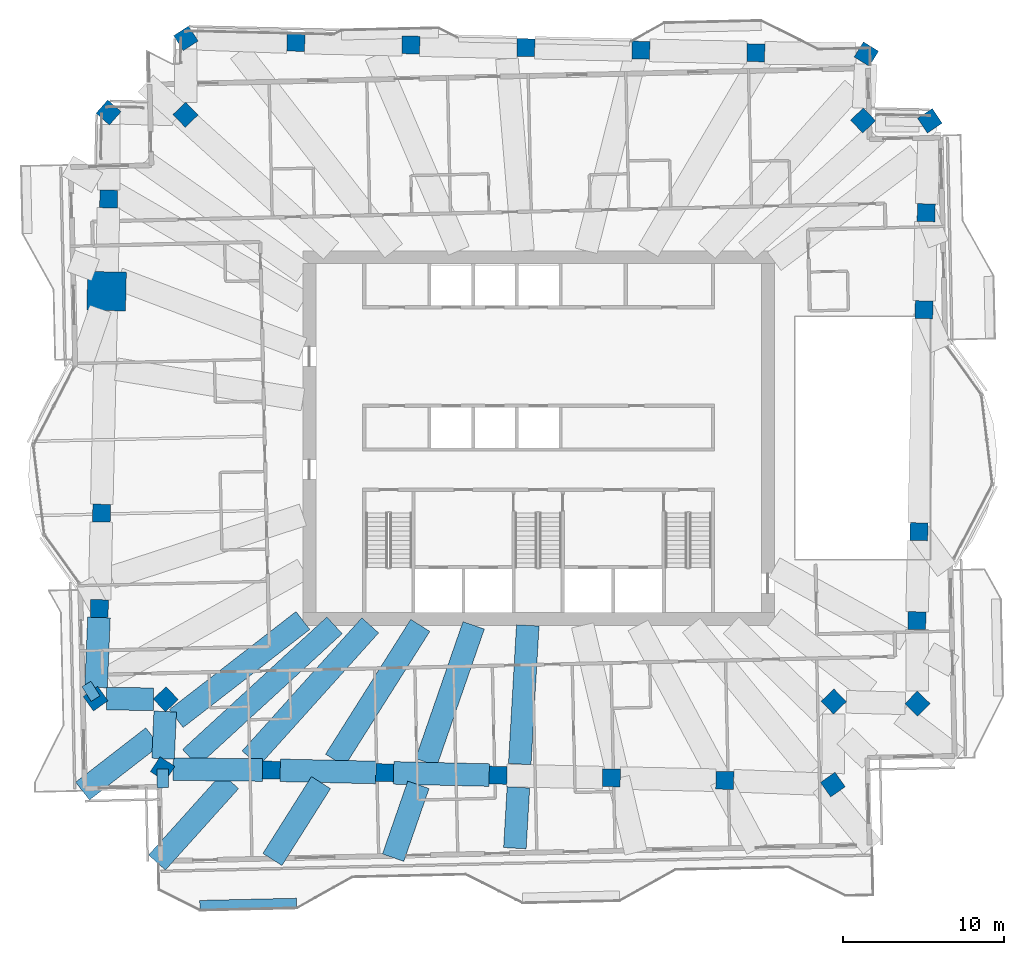
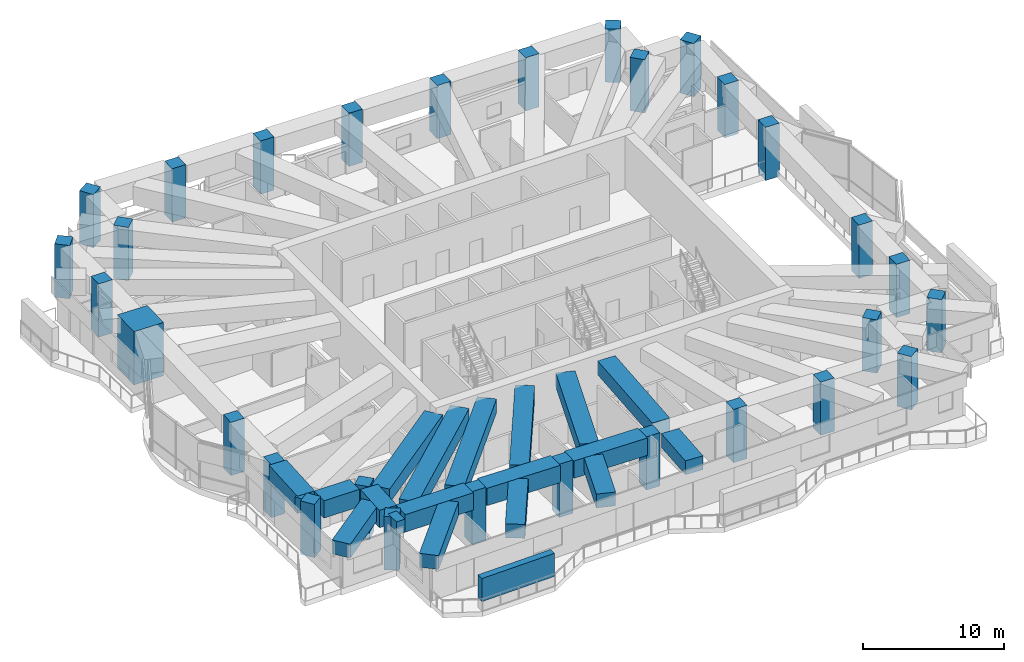
# One storey, part 1 of 19: 30 columns, 19 beams, 1 member.
"""IFC4 building model written with IfcOpenShell, lengths in metres."""

from ifc_helpers import new_model, si_unit, direction, frame, origin, origin_2d, place, context, subcontext, project, spatial, rectangle, extrude, material, material_profile, profile_set, type_object, element, save


model = new_model("IFC4")

# Units and contexts
model_context = context("Model", 3, precision=1e-05, world=origin(), true_north=direction((0.0, 1.0)))
body_context = subcontext(model_context, "Body", "Model", "MODEL_VIEW")
ifc_project = project(units=[si_unit("LENGTHUNIT", "METRE"), si_unit("AREAUNIT", "SQUARE_METRE"), si_unit("VOLUMEUNIT", "CUBIC_METRE"), si_unit("PLANEANGLEUNIT", "RADIAN"), si_unit("MASSUNIT", "GRAM", prefix="KILO")], contexts=[model_context])

# Site, building, storey
site_placement = place(None, origin())
site = spatial("IfcSite", under=ifc_project, at=site_placement, CompositionType="ELEMENT")
building_placement = place(site_placement, origin())
building = spatial("IfcBuilding", under=site, at=building_placement, Name="Mangrove Gate Tower", CompositionType="ELEMENT")
storey_placement = place(building_placement, frame((0.0, 0.0, 226.5)))
storey = spatial("IfcBuildingStorey", under=building, at=storey_placement, Name="L57", CompositionType="ELEMENT", Elevation=226.5)

# Columns
ifc_material_1 = material(Name="Concrete C60/75", Category="concrete")
ifc_material_profile_1 = material_profile(ifc_material_1, rectangle(XDim=1.10009765625, YDim=1.10009765625, at=origin_2d()))
ifc_profile_set_1 = profile_set([ifc_material_profile_1], Name="Concrete C60/75")
column_type_1 = type_object("IfcColumnType", Name="Column RC 1100x1100 C60/75", PredefinedType="COLUMN", material=ifc_profile_set_1)
for number, where, z_axis, x_axis, name in (
    (1, (-27.071044921875, -4.6494140625, -0.550048828125), (0.0, 0.0, 1.0), (-0.02268213383, -0.999742727308, 0.0), "Column L57 W05"),
    (2, (-27.205078125, -10.5595703125, -0.550048828125), (0.0, 0.0, 1.0), (-0.022750219004, -0.999741180274, 0.0), "Column L57 W06"),
    (3, (-27.44140625, -16.139892578125, -0.550048828125), (0.0, 0.0, 1.0), (0.578578159923, -0.815626944663, 0.0), "Column L57 W07"),
    (4, (-23.09326171875, -16.177978515625, -0.550048828125), (0.0, 0.0, 1.0), (0.690854032309, -0.722994264183, 0.0), "Column L57 W08"),
    (5, (-23.28857421875, -20.49755859375, -0.550048828125), (0.0, 0.0, 1.0), (0.835228982997, -0.549902305834, 0.0), "Column L57 S01"),
    (6, (-16.555419921875, -20.566162109375, -0.550048828125), (0.0, 0.0, 1.0), (0.999742166043, -0.022706858776, 0.0), "Column L57 S02"),
    (7, (-9.533447265625, -20.72607421875, -0.550048828125), (0.0, 0.0, 1.0), (0.999742129581, -0.022708464065, 0.0), "Column L57 S03"),
    (8, (-2.511474609375, -20.88525390625, -0.550048828125), (0.0, 0.0, 1.0), (0.999743742918, -0.022637325283, 0.0), "Column L57 S04"),
    (9, (4.510498046875, -21.044189453125, -0.550048828125), (0.0, 0.0, 1.0), (0.999742129581, -0.022708464065, 0.0), "Column L57 S05"),
    (10, (11.532470703125, -21.2041015625, -0.550048828125), (0.0, 0.0, 1.0), (0.999742166043, -0.022706858776, 0.0), "Column L57 S06"),
    (11, (18.225830078125, -21.463623046875, -0.550048828125), (0.0, 0.0, 1.0), (0.817005906944, 0.576629298612, 0.0), "Column L57 S07"),
    (12, (18.281005859375, -16.31640625, -0.550048828125), (0.0, 0.0, 1.0), (0.722904645442, 0.690947808158, 0.0), "Column L57 E01"),
    (13, (23.467529296875, -16.445556640625, -0.550048828125), (0.0, 0.0, 1.0), (0.702472771276, 0.711710619294, 0.0), "Column L57 E02"),
    (14, (23.43408203125, -11.30859375, -0.550048828125), (0.0, 0.0, 1.0), (0.022678138054, 0.999742817956, 0.0), "Column L57 E03"),
    (15, (23.55908203125, -5.798583984375, -0.550048828125), (0.0, 0.0, 1.0), (0.022686024913, 0.999742639019, 0.0), "Column L57 E04"),
    (16, (23.87109375, 7.949462890625, -0.550048828125), (0.0, 0.0, 1.0), (0.022719107826, 0.999741887759, 0.0), "Column L57 E05"),
    (17, (24.008056640625, 13.95947265625, -0.550048828125), (0.0, 0.0, 1.0), (0.022704398496, 0.99974222192, 0.0), "Column L57 E06"),
    (18, (24.236083984375, 19.6533203125, -0.550048828125), (0.0, 0.0, 1.0), (-0.553976303186, 0.832532435109, 0.0), "Column L57 E07"),
    (19, (20.097412109375, 19.673095703125, -0.550048828125), (0.0, 0.0, 1.0), (-0.69093208713, 0.722919671176, 0.0), "Column L57 E08"),
    (20, (20.300048828125, 23.78466796875, -0.550048828125), (0.0, 0.0, 1.0), (-0.849671924518, 0.527311692157, 0.0), "Column L57 N01"),
    (21, (13.45556640625, 23.8642578125, -0.550048828125), (0.0, 0.0, 1.0), (-0.999741400599, 0.022740534932, 0.0), "Column L57 N02"),
    (22, (6.33349609375, 24.026123046875, -0.550048828125), (0.0, 0.0, 1.0), (-0.999742993665, 0.022670390785, 0.0), "Column L57 N03"),
    (23, (-0.78857421875, 24.187255859375, -0.550048828125), (0.0, 0.0, 1.0), (-0.999742993665, 0.022670390785, 0.0), "Column L57 N04"),
    (24, (-7.910400390625, 24.34912109375, -0.550048828125), (0.0, 0.0, 1.0), (-0.999742993665, 0.022670390785, 0.0), "Column L57 N05"),
    (25, (-15.032470703125, 24.51025390625, -0.550048828125), (0.0, 0.0, 1.0), (-0.999742993665, 0.022670390785, 0.0), "Column L57 N06"),
    (26, (-21.84521484375, 24.759033203125, -0.550048828125), (0.0, 0.0, 1.0), (-0.841786903105, -0.539809975603, 0.0), "Column L57 N07"),
    (27, (-21.87109375, 20.025390625, -0.550048828125), (0.0, 0.0, 1.0), (-0.722980880026, -0.690868038859, 0.0), "Column L57 W01"),
    (28, (-26.636962890625, 20.168701171875, -0.550048828125), (0.0, 0.0, 1.0), (-0.660570488369, -0.750764030769, 0.0), "Column L57 W02"),
    (29, (-26.630126953125, 14.80859375, -0.550048828125), (0.0, 0.0, 1.0), (-0.022671699445, -0.999742963988, 0.0), "Column L57 W03"),
):
    element("IfcColumn", number, at=place(storey_placement, frame(where, z_axis=z_axis, x_axis=x_axis)), inside=storey, type_object=column_type_1, Name=name, PredefinedType="COLUMN", context=body_context, shape_type="SweptSolid", body=[
        extrude(rectangle(XDim=1.10009765625, YDim=1.10009765625, at=origin_2d()), origin(), (0.0, 0.0, 1.0), 4.60009765625),
    ])
ifc_material_2 = material(Name="Concrete C60/75", Category="concrete")
ifc_material_profile_2 = material_profile(ifc_material_2, rectangle(XDim=2.39990234375, YDim=2.39990234375, at=origin_2d()))
ifc_profile_set_2 = profile_set([ifc_material_profile_2], Name="Concrete C60/75")
column_type_2 = type_object("IfcColumnType", Name="Column RC 2400x2400 C60/75", PredefinedType="COLUMN", material=ifc_profile_set_2)
column_placement = place(storey_placement, frame((-26.759033203125, 9.0986328125, -0.550048828125), z_axis=(0.0, 0.0, 1.0), x_axis=(-0.022658386004, -0.999743265816, 0.0)))
element("IfcColumn", 30, at=column_placement, inside=storey, type_object=column_type_2, Name="Column L57 W04", PredefinedType="COLUMN", context=body_context, shape_type="SweptSolid", body=[
    extrude(rectangle(XDim=2.39990234375, YDim=2.39990234375, at=origin_2d()), origin(), (0.0, 0.0, 1.0), 4.60009765625),
])

# Member
ifc_material_3 = material(Name="Planting on aluminium trellis", Category="aluminium")
ifc_material_profile_3 = material_profile(ifc_material_3, rectangle(XDim=0.550048828125, YDim=2.0, at=origin_2d()))
ifc_profile_set_3 = profile_set([ifc_material_profile_3], Name="Planting on aluminium trellis")
member_type = type_object("IfcMemberType", Name="Balcony greenery screen 550x2000", PredefinedType="USERDEFINED", material=ifc_profile_set_3)
member_placement = place(storey_placement, frame((-20.986083984375, -28.912109375, 1.800048828125), z_axis=(0.999742171567, 0.022706615587, 0.0), x_axis=(-0.022706615587, 0.999742171567, 0.0)))
element("IfcMember", 31, at=member_placement, inside=storey, type_object=member_type, Name="GREEN SCREEN L57 S0.1", ObjectType="PLANTING", PredefinedType="USERDEFINED", context=body_context, shape_type="SweptSolid", body=[
    extrude(rectangle(XDim=0.550048828125, YDim=2.0, at=origin_2d()), origin(), (0.0, 0.0, 1.0), 5.99951171875),
])

# Beams
ifc_material_4 = material(Name="Concrete C60/75", Category="concrete")
ifc_material_profile_4 = material_profile(ifc_material_4, rectangle(XDim=1.39990234375, YDim=1.199951171875, at=origin_2d()))
ifc_profile_set_4 = profile_set([ifc_material_profile_4], Name="Concrete C60/75")
beam_type_1 = type_object("IfcBeamType", Name="Transfer girder RC 1400x1200 C60/75", PredefinedType="BEAM", material=ifc_profile_set_4)
beam_1_placement = place(storey_placement, frame((-14.60009765625, -11.30029296875, 3.449951171875), z_axis=(-0.79079440797, -0.612081860803, 0.0), x_axis=(0.612081860803, -0.79079440797, 0.0)))
element("IfcBeam", 32, at=beam_1_placement, inside=storey, type_object=beam_type_1, Name="Transfer girder L57 02", PredefinedType="BEAM", context=body_context, shape_type="SweptSolid", body=[
    extrude(rectangle(XDim=1.39990234375, YDim=1.199951171875, at=origin_2d()), origin(), (0.0, 0.0, 1.0), 9.920654296875),
])
beam_2_placement = place(storey_placement, frame((-23.900390625, -18.498779296875, 3.449951171875), z_axis=(-0.79077500965, -0.612106922125, 0.0), x_axis=(0.612106922125, -0.79077500965, 0.0)))
element("IfcBeam", 33, at=beam_2_placement, inside=storey, type_object=beam_type_1, Name="Transfer cantilever girder L57 02", PredefinedType="BEAM", context=body_context, shape_type="SweptSolid", body=[
    extrude(rectangle(XDim=1.39990234375, YDim=1.199951171875, at=origin_2d()), origin(), (0.0, 0.0, 1.0), 5.49853515625),
])
beam_3_placement = place(storey_placement, frame((-10.428955078125, -11.60009765625, 3.449951171875), z_axis=(-0.668590066861, -0.743631173697, 0.0), x_axis=(0.743631173697, -0.668590066861, 0.0)))
element("IfcBeam", 34, at=beam_3_placement, inside=storey, type_object=beam_type_1, Name="Transfer girder L57 04", PredefinedType="BEAM", context=body_context, shape_type="SweptSolid", body=[
    extrude(rectangle(XDim=1.39990234375, YDim=1.199951171875, at=origin_2d()), origin(), (0.0, 0.0, 1.0), 11.0908203125),
])
beam_4_placement = place(storey_placement, frame((-19.10107421875, -21.24560546875, 3.449951171875), z_axis=(-0.668570922834, -0.743648385422, 0.0), x_axis=(0.743648385422, -0.668570922834, 0.0)))
element("IfcBeam", 35, at=beam_4_placement, inside=storey, type_object=beam_type_1, Name="Transfer cantilever girder L57 04", PredefinedType="BEAM", context=body_context, shape_type="SweptSolid", body=[
    extrude(rectangle(XDim=1.39990234375, YDim=1.199951171875, at=origin_2d()), origin(), (0.0, 0.0, 1.0), 6.783447265625),
])
beam_5_placement = place(storey_placement, frame((-7.327880859375, -11.60009765625, 3.449951171875), z_axis=(-0.53409525518, -0.845424306721, 0.0), x_axis=(0.845424306721, -0.53409525518, 0.0)))
element("IfcBeam", 36, at=beam_5_placement, inside=storey, type_object=beam_type_1, Name="Transfer girder L57 05", PredefinedType="BEAM", context=body_context, shape_type="SweptSolid", body=[
    extrude(rectangle(XDim=1.39990234375, YDim=1.199951171875, at=origin_2d()), origin(), (0.0, 0.0, 1.0), 9.8798828125),
])
beam_6_placement = place(storey_placement, frame((-13.48046875, -21.33935546875, 3.449951171875), z_axis=(-0.534090818904, -0.845427109314, 0.0), x_axis=(0.845427109314, -0.534090818904, 0.0)))
element("IfcBeam", 37, at=beam_6_placement, inside=storey, type_object=beam_type_1, Name="Transfer cantilever girder L57 05", PredefinedType="BEAM", context=body_context, shape_type="SweptSolid", body=[
    extrude(rectangle(XDim=1.39990234375, YDim=1.199951171875, at=origin_2d()), origin(), (0.0, 0.0, 1.0), 5.633544921875),
])
beam_7_placement = place(storey_placement, frame((-4.021240234375, -11.60009765625, 3.449951171875), z_axis=(-0.327548719926, -0.944834290273, 0.0), x_axis=(0.944834290273, -0.327548719926, 0.0)))
element("IfcBeam", 38, at=beam_7_placement, inside=storey, type_object=beam_type_1, Name="Transfer girder L57 06", PredefinedType="BEAM", context=body_context, shape_type="SweptSolid", body=[
    extrude(rectangle(XDim=1.39990234375, YDim=1.199951171875, at=origin_2d()), origin(), (0.0, 0.0, 1.0), 8.974853515625),
])
beam_8_placement = place(storey_placement, frame((-7.445556640625, -21.47802734375, 3.449951171875), z_axis=(-0.327524958373, -0.944842527431, 0.0), x_axis=(0.944842527431, -0.327524958373, 0.0)))
element("IfcBeam", 39, at=beam_8_placement, inside=storey, type_object=beam_type_1, Name="Transfer cantilever girder L57 06", PredefinedType="BEAM", context=body_context, shape_type="SweptSolid", body=[
    extrude(rectangle(XDim=1.39990234375, YDim=1.199951171875, at=origin_2d()), origin(), (0.0, 0.0, 1.0), 4.775146484375),
])
beam_9_placement = place(storey_placement, frame((-0.6708984375, -11.60009765625, 3.449951171875), z_axis=(-0.057731318756, -0.998332156566, 0.0), x_axis=(0.998332156566, -0.057731318756, 0.0)))
element("IfcBeam", 40, at=beam_9_placement, inside=storey, type_object=beam_type_1, Name="Transfer girder L57 07", PredefinedType="BEAM", context=body_context, shape_type="SweptSolid", body=[
    extrude(rectangle(XDim=1.39990234375, YDim=1.199951171875, at=origin_2d()), origin(), (0.0, 0.0, 1.0), 8.610107421875),
])
beam_10_placement = place(storey_placement, frame((-1.251220703125, -21.63330078125, 3.449951171875), z_axis=(-0.057736567886, -0.998331853007, 0.0), x_axis=(0.998331853007, -0.057736567886, 0.0)))
element("IfcBeam", 41, at=beam_10_placement, inside=storey, type_object=beam_type_1, Name="Transfer cantilever girder L57 07", PredefinedType="BEAM", context=body_context, shape_type="SweptSolid", body=[
    extrude(rectangle(XDim=1.39990234375, YDim=1.199951171875, at=origin_2d()), origin(), (0.0, 0.0, 1.0), 3.776123046875),
])
ifc_material_5 = material(Name="Concrete C60/75", Category="concrete")
ifc_material_profile_5 = material_profile(ifc_material_5, rectangle(XDim=1.39990234375, YDim=1.300048828125, at=origin_2d()))
ifc_profile_set_5 = profile_set([ifc_material_profile_5], Name="Concrete C60/75")
beam_type_2 = type_object("IfcBeamType", Name="Transfer girder RC 1400x1300 C60/75", PredefinedType="BEAM", material=ifc_profile_set_5)
beam_11_placement = place(storey_placement, frame((-12.640380859375, -11.60009765625, 3.39990234375), z_axis=(-0.736788210891, -0.676123607258, 0.0), x_axis=(0.676123607258, -0.736788210891, 0.0)))
element("IfcBeam", 42, at=beam_11_placement, inside=storey, type_object=beam_type_2, Name="Transfer girder L57 03", PredefinedType="BEAM", context=body_context, shape_type="SweptSolid", body=[
    extrude(rectangle(XDim=1.39990234375, YDim=1.300048828125, at=origin_2d()), origin(), (0.0, 0.0, 1.0), 12.133544921875),
])
ifc_material_6 = material(Name="Concrete C60/75", Category="concrete")
ifc_material_profile_6 = material_profile(ifc_material_6, rectangle(XDim=1.39990234375, YDim=1.5, at=origin_2d()))
ifc_profile_set_6 = profile_set([ifc_material_profile_6], Name="Concrete C60/75")
beam_type_3 = type_object("IfcBeamType", Name="Transfer girder RC 1400x1500 C60/75", PredefinedType="BEAM", material=ifc_profile_set_6)
beam_12_placement = place(storey_placement, frame((-27.228515625, -11.109130859375, 3.300048828125), z_axis=(-0.042253030375, -0.999106941936, 0.0), x_axis=(0.999106941936, -0.042253030375, 0.0)))
element("IfcBeam", 43, at=beam_12_placement, inside=storey, type_object=beam_type_3, Name="Transfer ring girder L57 01", PredefinedType="BEAM", context=body_context, shape_type="SweptSolid", body=[
    extrude(rectangle(XDim=1.39990234375, YDim=1.5, at=origin_2d()), origin(), (0.0, 0.0, 1.0), 4.33935546875),
])
beam_13_placement = place(storey_placement, frame((-26.762939453125, -16.145751953125, 3.300048828125), z_axis=(0.999960996319, -0.008832091572, 0.0), x_axis=(0.008832091572, 0.999960996319, 0.0)))
element("IfcBeam", 44, at=beam_13_placement, inside=storey, type_object=beam_type_3, Name="Transfer ring girder L57 02", PredefinedType="BEAM", context=body_context, shape_type="SweptSolid", body=[
    extrude(rectangle(XDim=1.39990234375, YDim=1.5, at=origin_2d()), origin(), (0.0, 0.0, 1.0), 2.90234375),
])
beam_14_placement = place(storey_placement, frame((-23.127685546875, -16.938232421875, 3.300048828125), z_axis=(-0.045187907282, -0.998978504792, 0.0), x_axis=(0.998978504792, -0.045187907282, 0.0)))
element("IfcBeam", 45, at=beam_14_placement, inside=storey, type_object=beam_type_3, Name="Transfer ring girder L57 03", PredefinedType="BEAM", context=body_context, shape_type="SweptSolid", body=[
    extrude(rectangle(XDim=1.39990234375, YDim=1.5, at=origin_2d()), origin(), (0.0, 0.0, 1.0), 2.9228515625),
])
beam_15_placement = place(storey_placement, frame((-22.634521484375, -20.50439453125, 3.300048828125), z_axis=(0.999948433136, -0.010155346828, 0.0), x_axis=(0.010155346828, 0.999948433136, 0.0)))
element("IfcBeam", 46, at=beam_15_placement, inside=storey, type_object=beam_type_3, Name="Transfer ring girder L57 04", PredefinedType="BEAM", context=body_context, shape_type="SweptSolid", body=[
    extrude(rectangle(XDim=1.39990234375, YDim=1.5, at=origin_2d()), origin(), (0.0, 0.0, 1.0), 5.529296875),
])
beam_16_placement = place(storey_placement, frame((-16.005615234375, -20.57861328125, 3.300048828125), z_axis=(0.999740258675, -0.022790681963, 0.0), x_axis=(0.022790681963, 0.999740258675, 0.0)))
element("IfcBeam", 47, at=beam_16_placement, inside=storey, type_object=beam_type_3, Name="Transfer ring girder L57 05", PredefinedType="BEAM", context=body_context, shape_type="SweptSolid", body=[
    extrude(rectangle(XDim=1.39990234375, YDim=1.5, at=origin_2d()), origin(), (0.0, 0.0, 1.0), 5.923828125),
])
beam_17_placement = place(storey_placement, frame((-8.983642578125, -20.738525390625, 3.300048828125), z_axis=(0.999743046941, -0.022668041218, 0.0), x_axis=(0.022668041218, 0.999743046941, 0.0)))
element("IfcBeam", 48, at=beam_17_placement, inside=storey, type_object=beam_type_3, Name="Transfer ring girder L57 06", PredefinedType="BEAM", context=body_context, shape_type="SweptSolid", body=[
    extrude(rectangle(XDim=1.39990234375, YDim=1.5, at=origin_2d()), origin(), (0.0, 0.0, 1.0), 5.923583984375),
])
ifc_material_7 = material(Name="Concrete C60/75", Category="concrete")
ifc_material_profile_7 = material_profile(ifc_material_7, rectangle(XDim=0.64990234375, YDim=1.050048828125, at=origin_2d()))
ifc_profile_set_7 = profile_set([ifc_material_profile_7], Name="Concrete C60/75")
beam_type_4 = type_object("IfcBeamType", Name="Transfer girder RC 650x1050 C60/75", PredefinedType="BEAM", material=ifc_profile_set_7)
beam_18_placement = place(storey_placement, frame((-27.44140625, -16.139892578125, 3.52490234375), z_axis=(-0.527533393135, 0.849534295439, 0.0), x_axis=(-0.849534295439, -0.527533393135, 0.0)))
element("IfcBeam", 49, at=beam_18_placement, inside=storey, type_object=beam_type_4, Name="Transfer edge girder L57 01", PredefinedType="BEAM", context=body_context, shape_type="SweptSolid", body=[
    extrude(rectangle(XDim=0.64990234375, YDim=1.050048828125, at=origin_2d()), origin(), (0.0, 0.0, 1.0), 1.069091796875),
])
ifc_material_8 = material(Name="Concrete C60/75", Category="concrete")
ifc_material_profile_8 = material_profile(ifc_material_8, rectangle(XDim=0.699951171875, YDim=1.14990234375, at=origin_2d()))
ifc_profile_set_8 = profile_set([ifc_material_profile_8], Name="Concrete C60/75")
beam_type_5 = type_object("IfcBeamType", Name="Transfer girder RC 700x1150 C60/75", PredefinedType="BEAM", material=ifc_profile_set_8)
beam_19_placement = place(storey_placement, frame((-23.28857421875, -20.49755859375, 3.47509765625), z_axis=(0.016825552215, -0.999858440377, 0.0), x_axis=(0.999858440377, 0.016825552215, 0.0)))
element("IfcBeam", 50, at=beam_19_placement, inside=storey, type_object=beam_type_5, Name="Transfer edge girder L57 03", PredefinedType="BEAM", context=body_context, shape_type="SweptSolid", body=[
    extrude(rectangle(XDim=0.699951171875, YDim=1.14990234375, at=origin_2d()), origin(), (0.0, 0.0, 1.0), 1.160888671875),
])

save(model, "model.ifc")
